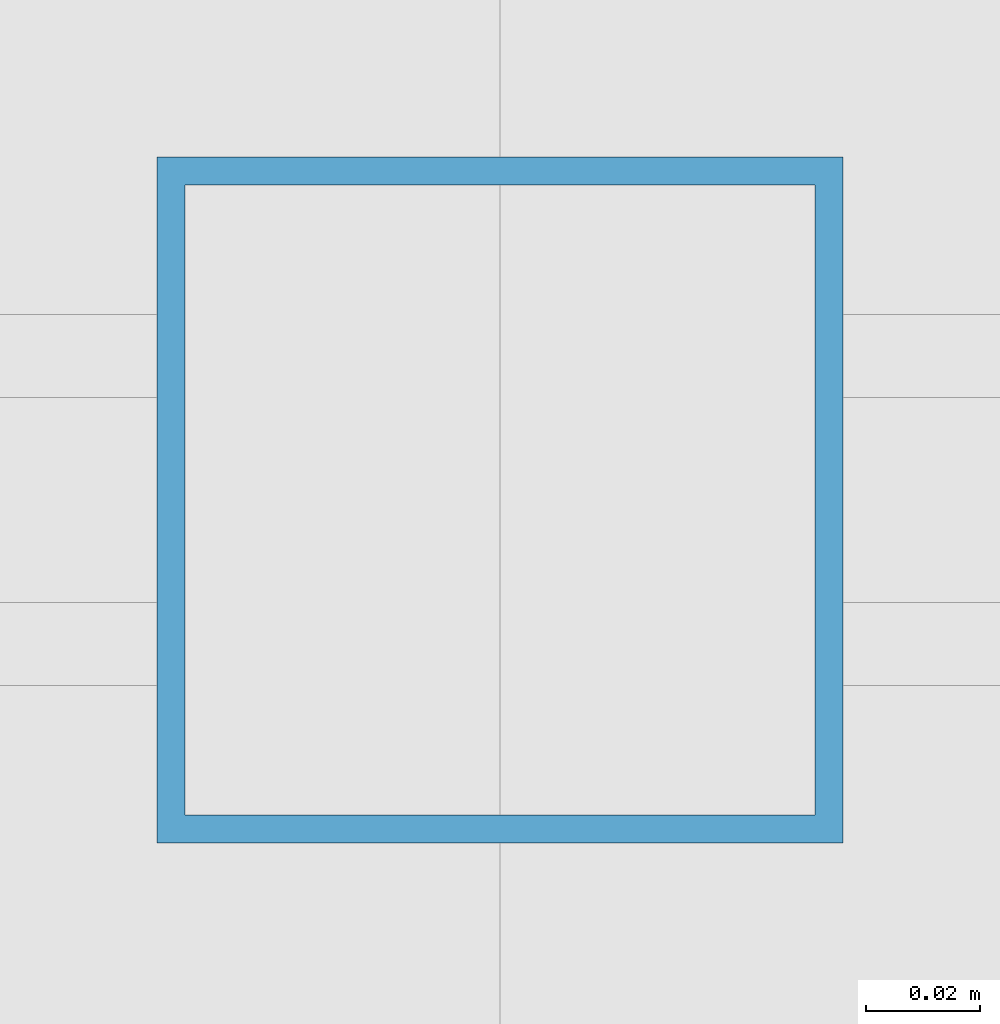
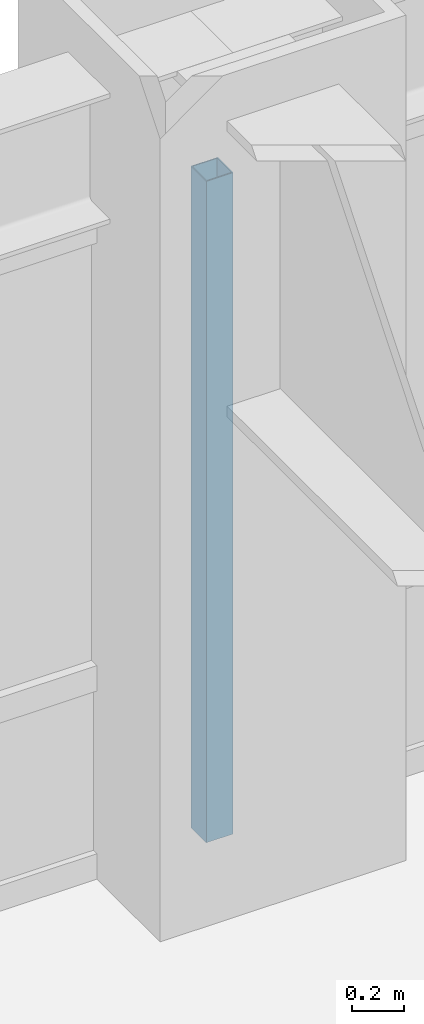
# One storey, part 16 of 26: 1 member, 1 element without a shape of its own.
"""IFC4 building model written with IfcOpenShell, lengths in metres."""

from ifc_helpers import new_model, si_unit, direction, frame, origin, origin_2d, place, context, subcontext, project, spatial, hollow_rectangle, extrude, source, transform, mapped, material, material_profile, profile_set, type_object, element, aggregate, save


model = new_model("IFC4")

# Units and contexts
model_context = context("Model", 3, precision=1e-05, world=origin(), true_north=direction((0.0, 1.0)))
body_context = subcontext(model_context, "Body", "Model", "MODEL_VIEW")
ifc_project = project(units=[si_unit("LENGTHUNIT", "METRE"), si_unit("AREAUNIT", "SQUARE_METRE"), si_unit("VOLUMEUNIT", "CUBIC_METRE"), si_unit("PLANEANGLEUNIT", "RADIAN"), si_unit("MASSUNIT", "GRAM", prefix="KILO")], contexts=[model_context])

# Site, building, storey
site_placement = place(None, origin())
site = spatial("IfcSite", under=ifc_project, at=site_placement, CompositionType="ELEMENT")
building_placement = place(site_placement, origin())
building = spatial("IfcBuilding", under=site, at=building_placement, Name="Khorayat Bourse Tower", CompositionType="ELEMENT")
storey_placement = place(building_placement, frame((0.0, 0.0, 207.10009765625)))
storey = spatial("IfcBuildingStorey", under=building, at=storey_placement, Name="L48", CompositionType="ELEMENT", Elevation=207.10009765625)

# Curtain wall, member
ifc_material = material(Name="Aluminium EN AW-6063 T6", Category="aluminium")
curtain_wall_type = type_object("IfcCurtainWallType", Name="CW-SYS-03", PredefinedType="NOTDEFINED", material=ifc_material)
curtain_wall_placement = place(storey_placement, origin())
curtain_wall = element("IfcCurtainWall", 1, at=curtain_wall_placement, inside=storey, type_object=curtain_wall_type, Name="L48 Curtain Wall CW-L48-N1", PredefinedType="NOTDEFINED")
ifc_material_profile = material_profile(ifc_material, hollow_rectangle(XDim=0.1201171875, YDim=0.1201171875, WallThickness=0.0048828125, at=origin_2d()), Name="ALU 120x120x5")
ifc_profile_set = profile_set([ifc_material_profile], Name="Aluminium EN AW-6063 T6")
member_type = type_object("IfcMemberType", Name="CWM-VERT-120", PredefinedType="MULLION", material=ifc_profile_set)
shared_shape = source(origin(), body_context, "Body", "SweptSolid", [
    extrude(hollow_rectangle(XDim=0.1201171875, YDim=0.1201171875, WallThickness=0.0048828125, at=origin_2d()), origin(), (0.0, 0.0, 1.0), 3.1298828125),
])
member_placement = place(storey_placement, frame((0.0, 30.0, 0.0), z_axis=(0.0, 0.0, 1.0), x_axis=(0.0, 1.0, 0.0)))
member = element("IfcMember", 2, at=member_placement, type_object=member_type, Name="CW-L48-N1 Vertical Mullion 2", PredefinedType="MULLION", context=body_context, shape_type="MappedRepresentation", body=[
    mapped(shared_shape, transform((0.0, 0.0, 0.0), scale=1.0)),
])
aggregate(curtain_wall, [member])

save(model, "model.ifc")
